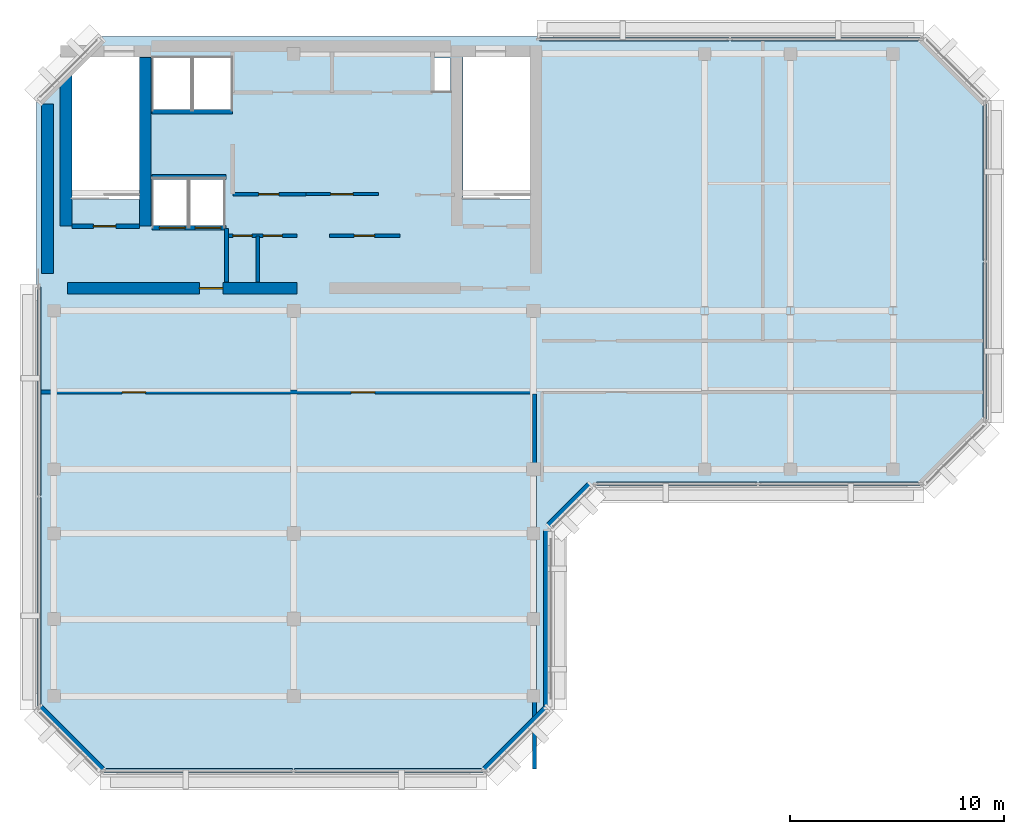
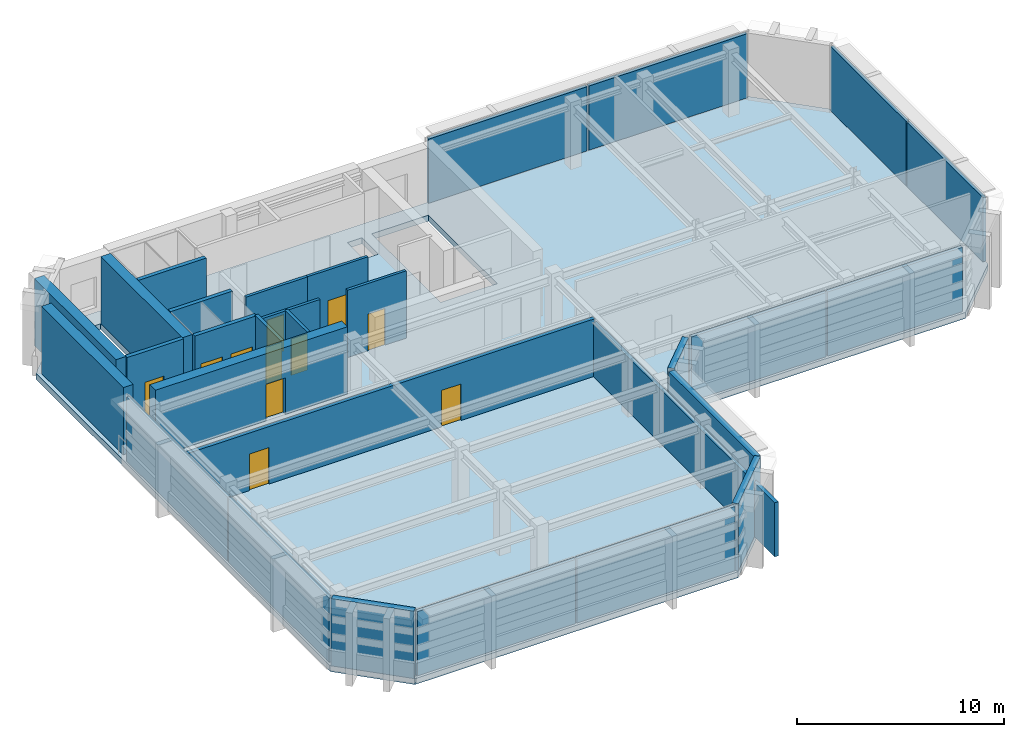
# One storey, part 4 of 7: 20 walls, 11 doors, 10 plates, 1 slab, 11 openings, 5 elements without a shape of their own.
"""IFC4 building model written with IfcOpenShell, lengths in metres."""

from ifc_helpers import new_model, si_unit, direction, frame, frame_2d, origin, origin_2d, place, context, subcontext, project, spatial, polyline, rectangle, outline, extrude, material, layer, layer_set, type_object, element, fill, aggregate, save


model = new_model("IFC4")

# Units and contexts
model_context = context("Model", 3, precision=1e-05, world=origin(), true_north=direction((0.0, 1.0)))
body_context = subcontext(model_context, "Body", "Model", "MODEL_VIEW")
ifc_project = project(units=[si_unit("LENGTHUNIT", "METRE"), si_unit("AREAUNIT", "SQUARE_METRE"), si_unit("VOLUMEUNIT", "CUBIC_METRE"), si_unit("PLANEANGLEUNIT", "RADIAN"), si_unit("MASSUNIT", "GRAM", prefix="KILO")], contexts=[model_context])

# Site, building, storey
site_placement = place(None, origin())
site = spatial("IfcSite", under=ifc_project, at=site_placement, CompositionType="ELEMENT")
building_placement = place(site_placement, origin())
building = spatial("IfcBuilding", under=site, at=building_placement, Name="Kefirva Bronze Tower", CompositionType="ELEMENT")
storey_placement = place(building_placement, frame((0.0, 0.0, 369.929931640625)))
storey = spatial("IfcBuildingStorey", under=building, at=storey_placement, Name="L90", CompositionType="ELEMENT", Elevation=369.929931640625)

# Curtain wall, plates
ifc_material_1 = material(Name="Bronze anodised aluminium", Category="aluminium")
ifc_layer_1 = layer(ifc_material_1, 0.219970703125, Name="Bronze anodised aluminium")
ifc_layer_set_1 = layer_set([ifc_layer_1], Name="Bronze anodised aluminium")
curtain_wall_type = type_object("IfcCurtainWallType", Name="Refuge Acoustic Louvre Curtain Screen", PredefinedType="USERDEFINED", material=ifc_layer_set_1)
curtain_wall_1_placement = place(storey_placement, origin())
curtain_wall_1 = element("IfcCurtainWall", 1, at=curtain_wall_1_placement, inside=storey, type_object=curtain_wall_type, Name="L90 Curtain Wall 1", ObjectType="LOUVRE SCREEN WALL", PredefinedType="USERDEFINED")
ifc_layer_2 = layer(ifc_material_1, 0.179931640625, Name="Bronze anodised aluminium")
ifc_layer_set_2 = layer_set([ifc_layer_2], Name="Bronze anodised aluminium")
plate_type = type_object("IfcPlateType", Name="Acoustic Weather Louvre Panel 180mm", PredefinedType="CURTAIN_PANEL", material=ifc_layer_set_2)
plate_1_placement = place(storey_placement, frame((7.550048828125, 11.719970703125, 0.08984375), z_axis=(0.0, 0.0, 1.0), x_axis=(1.0, 0.0, 0.0)))
plate_1 = element("IfcPlate", 2, at=plate_1_placement, type_object=plate_type, Name="CW-06 panel 1.1", PredefinedType="CURTAIN_PANEL", context=body_context, shape_type="SweptSolid", body=[
    extrude(rectangle(XDim=8.81005859375, YDim=0.179931640625, at=origin_2d()), origin(), (0.0, 0.0, 1.0), 3.780029296875),
])
plate_2_placement = place(storey_placement, frame((16.449951171875, 11.719970703125, 0.08984375), z_axis=(0.0, 0.0, 1.0), x_axis=(1.0, 0.0, 0.0)))
plate_2 = element("IfcPlate", 3, at=plate_2_placement, type_object=plate_type, Name="CW-06 panel 2.1", PredefinedType="CURTAIN_PANEL", context=body_context, shape_type="SweptSolid", body=[
    extrude(rectangle(XDim=8.81005859375, YDim=0.179931640625, at=origin_2d()), origin(), (0.0, 0.0, 1.0), 3.780029296875),
])
aggregate(curtain_wall_1, [plate_1, plate_2])

curtain_wall_2_placement = place(storey_placement, origin())
curtain_wall_2 = element("IfcCurtainWall", 4, at=curtain_wall_2_placement, inside=storey, type_object=curtain_wall_type, Name="L90 Curtain Wall 2", ObjectType="LOUVRE SCREEN WALL", PredefinedType="USERDEFINED")
plate_3_placement = place(storey_placement, frame((29.89990234375, 25.1201171875, 0.08984375), z_axis=(0.0, 0.0, 1.0), x_axis=(1.0, 0.0, 0.0)))
plate_3 = element("IfcPlate", 5, at=plate_3_placement, type_object=plate_type, Name="CW-06 panel 1.1", PredefinedType="CURTAIN_PANEL", context=body_context, shape_type="SweptSolid", body=[
    extrude(rectangle(XDim=7.510009765625, YDim=0.179931640625, at=origin_2d()), origin(), (0.0, 0.0, 1.0), 3.780029296875),
])
plate_4_placement = place(storey_placement, frame((37.5, 25.1201171875, 0.08984375), z_axis=(0.0, 0.0, 1.0), x_axis=(1.0, 0.0, 0.0)))
plate_4 = element("IfcPlate", 6, at=plate_4_placement, type_object=plate_type, Name="CW-06 panel 2.1", PredefinedType="CURTAIN_PANEL", context=body_context, shape_type="SweptSolid", body=[
    extrude(rectangle(XDim=7.510009765625, YDim=0.179931640625, at=origin_2d()), origin(), (0.0, 0.0, 1.0), 3.780029296875),
])
aggregate(curtain_wall_2, [plate_3, plate_4])

curtain_wall_3_placement = place(storey_placement, origin())
curtain_wall_3 = element("IfcCurtainWall", 7, at=curtain_wall_3_placement, inside=storey, type_object=curtain_wall_type, Name="L90 Curtain Wall 3", ObjectType="LOUVRE SCREEN WALL", PredefinedType="USERDEFINED")
plate_5_placement = place(storey_placement, frame((44.280029296875, 31.800048828125, 0.08984375), z_axis=(0.0, 0.0, 1.0), x_axis=(0.0, 1.0, 0.0)))
plate_5 = element("IfcPlate", 8, at=plate_5_placement, type_object=plate_type, Name="CW-06 panel 1.1", PredefinedType="CURTAIN_PANEL", context=body_context, shape_type="SweptSolid", body=[
    extrude(rectangle(XDim=7.31005859375, YDim=0.179931640625, at=origin_2d()), origin(), (0.0, 0.0, 1.0), 3.780029296875),
])
plate_6_placement = place(storey_placement, frame((44.280029296875, 39.199951171875, 0.08984375), z_axis=(0.0, 0.0, 1.0), x_axis=(0.0, 1.0, 0.0)))
plate_6 = element("IfcPlate", 9, at=plate_6_placement, type_object=plate_type, Name="CW-06 panel 2.1", PredefinedType="CURTAIN_PANEL", context=body_context, shape_type="SweptSolid", body=[
    extrude(rectangle(XDim=7.31005859375, YDim=0.179931640625, at=origin_2d()), origin(), (0.0, 0.0, 1.0), 3.780029296875),
])
aggregate(curtain_wall_3, [plate_5, plate_6])

curtain_wall_4_placement = place(storey_placement, origin())
curtain_wall_4 = element("IfcCurtainWall", 10, at=curtain_wall_4_placement, inside=storey, type_object=curtain_wall_type, Name="L90 Curtain Wall 4", ObjectType="LOUVRE SCREEN WALL", PredefinedType="USERDEFINED")
plate_7_placement = place(storey_placement, frame((36.83740234375, 45.8798828125, 0.08984375), z_axis=(0.0, 0.0, 1.0), x_axis=(-1.0, 0.0, 0.0)))
plate_7 = element("IfcPlate", 11, at=plate_7_placement, type_object=plate_type, Name="CW-06 panel 1.1", PredefinedType="CURTAIN_PANEL", context=body_context, shape_type="SweptSolid", body=[
    extrude(rectangle(XDim=8.8349609375, YDim=0.179931640625, at=origin_2d()), origin(), (0.0, 0.0, 1.0), 3.780029296875),
])
plate_8_placement = place(storey_placement, frame((27.91259765625, 45.8798828125, 0.08984375), z_axis=(0.0, 0.0, 1.0), x_axis=(-1.0, 0.0, 0.0)))
plate_8 = element("IfcPlate", 12, at=plate_8_placement, type_object=plate_type, Name="CW-06 panel 2.1", PredefinedType="CURTAIN_PANEL", context=body_context, shape_type="SweptSolid", body=[
    extrude(rectangle(XDim=8.8349609375, YDim=0.179931640625, at=origin_2d()), origin(), (0.0, 0.0, 1.0), 3.780029296875),
])
aggregate(curtain_wall_4, [plate_7, plate_8])

curtain_wall_5_placement = place(storey_placement, origin())
curtain_wall_5 = element("IfcCurtainWall", 13, at=curtain_wall_5_placement, inside=storey, type_object=curtain_wall_type, Name="L90 Curtain Wall 5", ObjectType="LOUVRE SCREEN WALL", PredefinedType="USERDEFINED")
plate_9_placement = place(storey_placement, frame((0.1201171875, 29.4375, 0.08984375), z_axis=(0.0, 0.0, 1.0), x_axis=(0.0, -1.0, 0.0)))
plate_9 = element("IfcPlate", 14, at=plate_9_placement, type_object=plate_type, Name="CW-06 panel 1.1", PredefinedType="CURTAIN_PANEL", context=body_context, shape_type="SweptSolid", body=[
    extrude(rectangle(XDim=9.735107421875, YDim=0.179931640625, at=origin_2d()), origin(), (0.0, 0.0, 1.0), 3.780029296875),
])
plate_10_placement = place(storey_placement, frame((0.1201171875, 19.612548828125, 0.08984375), z_axis=(0.0, 0.0, 1.0), x_axis=(0.0, -1.0, 0.0)))
plate_10 = element("IfcPlate", 15, at=plate_10_placement, type_object=plate_type, Name="CW-06 panel 2.1", PredefinedType="CURTAIN_PANEL", context=body_context, shape_type="SweptSolid", body=[
    extrude(rectangle(XDim=9.735107421875, YDim=0.179931640625, at=origin_2d()), origin(), (0.0, 0.0, 1.0), 3.780029296875),
])
aggregate(curtain_wall_5, [plate_9, plate_10])

# Slab
ifc_material_2 = material(Name="Concrete C50/60", Category="concrete")
ifc_layer_3 = layer(ifc_material_2, 0.35009765625, Name="Concrete C50/60")
ifc_layer_set_3 = layer_set([ifc_layer_3], Name="Concrete C50/60")
slab_type = type_object("IfcSlabType", Name="RC Refuge Plant Slab 350mm", PredefinedType="FLOOR", material=ifc_layer_set_3)
slab_placement = place(storey_placement, frame((0.0, 0.0, -0.349853515625)))
element("IfcSlab", 16, at=slab_placement, inside=storey, type_object=slab_type, Name="L90 Structural Floor Slab", PredefinedType="FLOOR", context=body_context, shape_type="SweptSolid", body=[
    extrude(outline(polyline([(0.0, 14.60009765625), (0.0, 43.0), (1.64990234375, 44.64990234375), (1.64990234375, 38.39990234375), (4.800048828125, 38.39990234375), (4.800048828125, 45.050048828125), (2.050048828125, 45.050048828125), (3.0, 46.0), (41.39990234375, 46.0), (44.39990234375, 43.0), (44.39990234375, 28.0), (41.39990234375, 25.0), (26.0, 25.0), (24.0, 23.0), (24.0, 14.60009765625), (21.0, 11.60009765625), (3.0, 11.60009765625), (0.0, 14.60009765625)]), holes=[polyline([(23.050048828125, 45.050048828125), (19.89990234375, 45.050048828125), (19.89990234375, 38.39990234375), (23.050048828125, 38.39990234375), (23.050048828125, 45.050048828125)]), polyline([(19.320068359375, 45.0), (18.52001953125, 45.0), (18.52001953125, 43.419921875), (19.320068359375, 43.419921875), (19.320068359375, 45.0)]), polyline([(9.1201171875, 45.050048828125), (7.300048828125, 45.050048828125), (7.300048828125, 42.550048828125), (9.1201171875, 42.550048828125), (9.1201171875, 45.050048828125)]), polyline([(8.780029296875, 39.39990234375), (7.139892578125, 39.39990234375), (7.139892578125, 37.10009765625), (8.780029296875, 37.10009765625), (8.780029296875, 39.39990234375)]), polyline([(7.239990234375, 45.050048828125), (5.419921875, 45.050048828125), (5.419921875, 42.550048828125), (7.239990234375, 42.550048828125), (7.239990234375, 45.050048828125)]), polyline([(5.419921875, 39.39990234375), (5.419921875, 37.10009765625), (7.06005859375, 37.10009765625), (7.06005859375, 39.39990234375), (5.419921875, 39.39990234375)])]), origin(), (0.0, 0.0, 1.0), 0.349853515625),
])

# Wall, opening, door
ifc_material_3 = material(Name="Gypsum acoustic partition")
ifc_layer_4 = layer(ifc_material_3, 0.14990234375, Name="Gypsum acoustic partition")
ifc_layer_set_4 = layer_set([ifc_layer_4], Name="Gypsum acoustic partition")
wall_type_1 = type_object("IfcWallType", Name="Executive Suite Partition 150mm", PredefinedType="PARTITIONING", material=ifc_layer_set_4)
wall_1_placement = place(storey_placement, frame((13.679931640625, 36.699951171875, 0.0), z_axis=(0.0, 0.0, 1.0), x_axis=(1.0, 0.0, 0.0)))
wall_1 = element("IfcWall", 17, at=wall_1_placement, inside=storey, type_object=wall_type_1, Name="L90 Partition W-L90-RECMP1", PredefinedType="PARTITIONING", context=body_context, shape_type="SweptSolid", body=[
    extrude(rectangle(XDim=3.280029296875, YDim=0.14990234375, at=frame_2d((1.64013671875, 0.0))), origin(), (0.0, 0.0, 1.0), 3.9599609375),
])
opening_1_placement = place(wall_1_placement, frame((1.14990234375, 0.0, 0.0)))
opening_1 = element("IfcOpeningElement", 18, at=opening_1_placement, cuts=wall_1, Name="Opening L90-D-RECMP1", PredefinedType="OPENING", context=body_context, shape_type="SweptSolid", body=[
    extrude(rectangle(XDim=0.949951171875, YDim=2.14990234375, at=frame_2d((0.47509765625, 1.074951171875))), frame((0.0, 0.0849609375, 0.0), z_axis=(0.0, -1.0, 0.0), x_axis=(1.0, 0.0, 0.0)), (0.0, 0.0, 1.0), 0.169921875),
])
ifc_material_4 = material(Name="Acoustic hardwood oak", Category="wood")
door_type_1 = type_object("IfcDoorType", Name="Office & Meeting Room Door 950x2150", OperationType="NOTDEFINED", PredefinedType="DOOR", material=ifc_material_4)
door_1_placement = place(opening_1_placement, origin())
door_1 = element("IfcDoor", 19, at=door_1_placement, inside=storey, type_object=door_type_1, Name="Door L90-D-RECMP1", OperationType="SINGLE_SWING_RIGHT", OverallHeight=2.14990234375, OverallWidth=0.949951171875, PredefinedType="DOOR", context=body_context, shape_type="SweptSolid", body=[
    extrude(rectangle(XDim=0.949951171875, YDim=2.14990234375, at=frame_2d((0.47509765625, 1.074951171875))), frame((0.0, 0.02490234375, 0.0), z_axis=(0.0, -1.0, 0.0), x_axis=(1.0, 0.0, 0.0)), (0.0, 0.0, 1.0), 0.050048828125),
])
fill(opening_1, door_1)

wall_2_placement = place(storey_placement, frame((12.580078125, 38.64990234375, 0.0), z_axis=(0.0, 0.0, 1.0), x_axis=(1.0, 0.0, 0.0)))
wall_2 = element("IfcWall", 20, at=wall_2_placement, inside=storey, type_object=wall_type_1, Name="L90 Partition W-L90-RECMP2", PredefinedType="PARTITIONING", context=body_context, shape_type="SweptSolid", body=[
    extrude(rectangle(XDim=3.3798828125, YDim=0.14990234375, at=frame_2d((1.68994140625, 0.0))), origin(), (0.0, 0.0, 1.0), 3.9599609375),
])
opening_2_placement = place(wall_2_placement, frame((2.199951171875, 0.0, 0.0), z_axis=(0.0, 0.0, 1.0), x_axis=(-1.0, 0.0, 0.0)))
opening_2 = element("IfcOpeningElement", 21, at=opening_2_placement, cuts=wall_2, Name="Opening L90-D-RECMP2", PredefinedType="OPENING", context=body_context, shape_type="SweptSolid", body=[
    extrude(rectangle(XDim=1.050048828125, YDim=2.14990234375, at=frame_2d((0.52490234375, 1.074951171875))), frame((0.0, 0.0849609375, 0.0), z_axis=(0.0, -1.0, 0.0), x_axis=(1.0, 0.0, 0.0)), (0.0, 0.0, 1.0), 0.169921875),
])
door_type_2 = type_object("IfcDoorType", Name="Executive & Boardroom Door 1050x2150", OperationType="NOTDEFINED", PredefinedType="DOOR", material=ifc_material_4)
door_2_placement = place(opening_2_placement, origin())
door_2 = element("IfcDoor", 22, at=door_2_placement, inside=storey, type_object=door_type_2, Name="Door L90-D-RECMP2", OperationType="SINGLE_SWING_LEFT", OverallHeight=2.14990234375, OverallWidth=1.050048828125, PredefinedType="DOOR", context=body_context, shape_type="SweptSolid", body=[
    extrude(rectangle(XDim=1.050048828125, YDim=2.14990234375, at=frame_2d((0.52490234375, 1.074951171875))), frame((0.0, 0.02490234375, 0.0), z_axis=(0.0, -1.0, 0.0), x_axis=(1.0, 0.0, 0.0)), (0.0, 0.0, 1.0), 0.050048828125),
])
fill(opening_2, door_2)

ifc_material_5 = material(Name="Gypsum fireboard shaftwall")
ifc_layer_5 = layer(ifc_material_5, 0.219970703125, Name="Gypsum fireboard shaftwall")
ifc_layer_set_5 = layer_set([ifc_layer_5], Name="Gypsum fireboard shaftwall")
wall_type_2 = type_object("IfcWallType", Name="Fire-Rated Shaft Enclosure Wall 220mm", PredefinedType="PARTITIONING", material=ifc_layer_set_5)
wall_3_placement = place(storey_placement, frame((1.64990234375, 37.14990234375, 0.0), z_axis=(0.0, 0.0, 1.0), x_axis=(1.0, 0.0, 0.0)))
wall_3 = element("IfcWall", 23, at=wall_3_placement, inside=storey, type_object=wall_type_2, Name="L90 Partition W-L90-ST1S", PredefinedType="PARTITIONING", context=body_context, shape_type="SweptSolid", body=[
    extrude(rectangle(XDim=3.150146484375, YDim=0.219970703125, at=frame_2d((1.5751953125, 0.0))), origin(), (0.0, 0.0, 1.0), 3.9599609375),
])
opening_3_placement = place(wall_3_placement, frame((2.050048828125, 0.0, 0.0), z_axis=(0.0, 0.0, 1.0), x_axis=(-1.0, 0.0, 0.0)))
opening_3 = element("IfcOpeningElement", 24, at=opening_3_placement, cuts=wall_3, Name="Opening L90-D001", PredefinedType="OPENING", context=body_context, shape_type="SweptSolid", body=[
    extrude(rectangle(XDim=1.050048828125, YDim=2.14990234375, at=frame_2d((0.52490234375, 1.074951171875))), frame((0.0, 0.1201171875, 0.0), z_axis=(0.0, -1.0, 0.0), x_axis=(1.0, 0.0, 0.0)), (0.0, 0.0, 1.0), 0.239990234375),
])
ifc_material_6 = material(Name="Painted galvanized steel", Category="steel")
door_type_3 = type_object("IfcDoorType", Name="Fire Stair Enclosure Door 1050x2150 FD90S", OperationType="NOTDEFINED", PredefinedType="DOOR", material=ifc_material_6)
door_3_placement = place(opening_3_placement, origin())
door_3 = element("IfcDoor", 25, at=door_3_placement, inside=storey, type_object=door_type_3, Name="Door L90-D001", OperationType="SINGLE_SWING_RIGHT", OverallHeight=2.14990234375, OverallWidth=1.050048828125, PredefinedType="DOOR", context=body_context, shape_type="SweptSolid", body=[
    extrude(rectangle(XDim=1.050048828125, YDim=2.14990234375, at=frame_2d((0.52490234375, 1.074951171875))), frame((0.0, 0.02490234375, 0.0), z_axis=(0.0, -1.0, 0.0), x_axis=(1.0, 0.0, 0.0)), (0.0, 0.0, 1.0), 0.050048828125),
])
fill(opening_3, door_3)

# Wall, openings, doors
wall_4_placement = place(storey_placement, frame((5.3798828125, 37.080078125, 0.0), z_axis=(0.0, 0.0, 1.0), x_axis=(1.0, 0.0, 0.0)))
wall_4 = element("IfcWall", 26, at=wall_4_placement, inside=storey, type_object=wall_type_2, Name="L90 Partition W-L90-FFS", PredefinedType="PARTITIONING", context=body_context, shape_type="SweptSolid", body=[
    extrude(rectangle(XDim=3.460205078125, YDim=0.219970703125, at=frame_2d((1.72998046875, 0.0))), origin(), (0.0, 0.0, 1.0), 3.9599609375),
])
opening_4_placement = place(wall_4_placement, frame((1.550048828125, 0.0, 0.0), z_axis=(0.0, 0.0, 1.0), x_axis=(-1.0, 0.0, 0.0)))
opening_4 = element("IfcOpeningElement", 27, at=opening_4_placement, cuts=wall_4, Name="Opening L90-LD-FF1", PredefinedType="OPENING", context=body_context, shape_type="SweptSolid", body=[
    extrude(rectangle(XDim=1.199951171875, YDim=2.199951171875, at=frame_2d((0.60009765625, 1.10009765625))), frame((0.0, 0.1201171875, 0.0), z_axis=(0.0, -1.0, 0.0), x_axis=(1.0, 0.0, 0.0)), (0.0, 0.0, 1.0), 0.239990234375),
])
opening_5_placement = place(wall_4_placement, frame((3.219970703125, 0.0, 0.0), z_axis=(0.0, 0.0, 1.0), x_axis=(-1.0, 0.0, 0.0)))
opening_5 = element("IfcOpeningElement", 28, at=opening_5_placement, cuts=wall_4, Name="Opening L90-LD-FF2", PredefinedType="OPENING", context=body_context, shape_type="SweptSolid", body=[
    extrude(rectangle(XDim=1.199951171875, YDim=2.199951171875, at=frame_2d((0.60009765625, 1.10009765625))), frame((0.0, 0.1201171875, 0.0), z_axis=(0.0, -1.0, 0.0), x_axis=(1.0, 0.0, 0.0)), (0.0, 0.0, 1.0), 0.239990234375),
])
ifc_material_7 = material(Name="Stainless steel 316", Category="steel")
door_type_4 = type_object("IfcDoorType", Name="Firefighting Lift Sliding Door 1200x2200", OperationType="SLIDING_TO_RIGHT", PredefinedType="DOOR", material=ifc_material_7)
door_4_placement = place(opening_4_placement, origin())
door_4 = element("IfcDoor", 29, at=door_4_placement, inside=storey, type_object=door_type_4, Name="Door L90-LD-FF1", OperationType="SLIDING_TO_RIGHT", OverallHeight=2.199951171875, OverallWidth=1.199951171875, PredefinedType="DOOR", context=body_context, shape_type="SweptSolid", body=[
    extrude(rectangle(XDim=1.199951171875, YDim=2.199951171875, at=frame_2d((0.60009765625, 1.10009765625))), frame((0.0, 0.02490234375, 0.0), z_axis=(0.0, -1.0, 0.0), x_axis=(1.0, 0.0, 0.0)), (0.0, 0.0, 1.0), 0.050048828125),
])
fill(opening_4, door_4)
door_5_placement = place(opening_5_placement, origin())
door_5 = element("IfcDoor", 30, at=door_5_placement, inside=storey, type_object=door_type_4, Name="Door L90-LD-FF2", OperationType="SLIDING_TO_RIGHT", OverallHeight=2.199951171875, OverallWidth=1.199951171875, PredefinedType="DOOR", context=body_context, shape_type="SweptSolid", body=[
    extrude(rectangle(XDim=1.199951171875, YDim=2.199951171875, at=frame_2d((0.60009765625, 1.10009765625))), frame((0.0, 0.02490234375, 0.0), z_axis=(0.0, -1.0, 0.0), x_axis=(1.0, 0.0, 0.0)), (0.0, 0.0, 1.0), 0.050048828125),
])
fill(opening_5, door_5)

# Walls
wall_5_placement = place(storey_placement, frame((5.3798828125, 39.449951171875, 0.0), z_axis=(0.0, 0.0, 1.0), x_axis=(1.0, 0.0, 0.0)))
element("IfcWall", 31, at=wall_5_placement, inside=storey, type_object=wall_type_2, Name="L90 Partition W-L90-FFN", PredefinedType="PARTITIONING", context=body_context, shape_type="SweptSolid", body=[
    extrude(rectangle(XDim=3.460205078125, YDim=0.219970703125, at=frame_2d((1.72998046875, 0.0))), origin(), (0.0, 0.0, 1.0), 3.9599609375),
])
wall_6_placement = place(storey_placement, frame((5.3798828125, 42.5, 0.0), z_axis=(0.0, 0.0, 1.0), x_axis=(1.0, 0.0, 0.0)))
element("IfcWall", 32, at=wall_6_placement, inside=storey, type_object=wall_type_2, Name="L90 Partition W-L90-SVS", PredefinedType="PARTITIONING", context=body_context, shape_type="SweptSolid", body=[
    extrude(rectangle(XDim=3.77001953125, YDim=0.219970703125, at=frame_2d((1.885009765625, 0.0))), origin(), (0.0, 0.0, 1.0), 3.9599609375),
])
ifc_material_8 = material(Name="Gypsum fireboard barrier")
ifc_layer_6 = layer(ifc_material_8, 0.199951171875, Name="Gypsum fireboard barrier")
ifc_layer_set_6 = layer_set([ifc_layer_6], Name="Gypsum fireboard barrier")
wall_type_3 = type_object("IfcWallType", Name="Firefighting Lobby Barrier Wall 200mm", PredefinedType="PARTITIONING", material=ifc_layer_set_6)
wall_7_placement = place(storey_placement, frame((8.860107421875, 34.550048828125, 0.0), z_axis=(0.0, 0.0, 1.0), x_axis=(0.0, 1.0, 0.0)))
element("IfcWall", 33, at=wall_7_placement, inside=storey, type_object=wall_type_3, Name="L90 Partition W-L90-FFLE", PredefinedType="PARTITIONING", context=body_context, shape_type="SweptSolid", body=[
    extrude(rectangle(XDim=2.5, YDim=0.199951171875, at=frame_2d((1.25, 0.0))), origin(), (0.0, 0.0, 1.0), 3.9599609375),
])

# Wall, openings, doors
wall_8_placement = place(storey_placement, frame((0.18994140625, 29.39990234375, 0.0), z_axis=(0.0, 0.0, 1.0), x_axis=(1.0, 0.0, 0.0)))
wall_8 = element("IfcWall", 34, at=wall_8_placement, inside=storey, type_object=wall_type_3, Name="L90 Partition W-L90-REFS", PredefinedType="PARTITIONING", context=body_context, shape_type="SweptSolid", body=[
    extrude(rectangle(XDim=23.06005859375, YDim=0.199951171875, at=frame_2d((11.530029296875, 0.0))), origin(), (0.0, 0.0, 1.0), 3.385009765625),
])
opening_6_placement = place(wall_8_placement, frame((3.800048828125, 0.0, 0.0)))
opening_6 = element("IfcOpeningElement", 35, at=opening_6_placement, cuts=wall_8, Name="Opening L90-D-REF1", PredefinedType="OPENING", context=body_context, shape_type="SweptSolid", body=[
    extrude(rectangle(XDim=1.10009765625, YDim=2.14990234375, at=frame_2d((0.550048828125, 1.074951171875))), frame((0.0, 0.10986328125, 0.0), z_axis=(0.0, -1.0, 0.0), x_axis=(1.0, 0.0, 0.0)), (0.0, 0.0, 1.0), 0.219970703125),
])
opening_7_placement = place(wall_8_placement, frame((14.5, 0.0, 0.0)))
opening_7 = element("IfcOpeningElement", 36, at=opening_7_placement, cuts=wall_8, Name="Opening L90-D-REF2", PredefinedType="OPENING", context=body_context, shape_type="SweptSolid", body=[
    extrude(rectangle(XDim=1.10009765625, YDim=2.14990234375, at=frame_2d((0.550048828125, 1.074951171875))), frame((0.0, 0.10986328125, 0.0), z_axis=(0.0, -1.0, 0.0), x_axis=(1.0, 0.0, 0.0)), (0.0, 0.0, 1.0), 0.219970703125),
])
door_type_5 = type_object("IfcDoorType", Name="Firefighting Lobby Smoke Door 1100x2150 FD60S", OperationType="NOTDEFINED", PredefinedType="DOOR", material=ifc_material_6)
door_6_placement = place(opening_6_placement, origin())
door_6 = element("IfcDoor", 37, at=door_6_placement, inside=storey, type_object=door_type_5, Name="Door L90-D-REF1", OperationType="SINGLE_SWING_RIGHT", OverallHeight=2.14990234375, OverallWidth=1.10009765625, PredefinedType="DOOR", context=body_context, shape_type="SweptSolid", body=[
    extrude(rectangle(XDim=1.10009765625, YDim=2.14990234375, at=frame_2d((0.550048828125, 1.074951171875))), frame((0.0, 0.02490234375, 0.0), z_axis=(0.0, -1.0, 0.0), x_axis=(1.0, 0.0, 0.0)), (0.0, 0.0, 1.0), 0.050048828125),
])
fill(opening_6, door_6)
door_7_placement = place(opening_7_placement, origin())
door_7 = element("IfcDoor", 38, at=door_7_placement, inside=storey, type_object=door_type_5, Name="Door L90-D-REF2", OperationType="SINGLE_SWING_LEFT", OverallHeight=2.14990234375, OverallWidth=1.10009765625, PredefinedType="DOOR", context=body_context, shape_type="SweptSolid", body=[
    extrude(rectangle(XDim=1.10009765625, YDim=2.14990234375, at=frame_2d((0.550048828125, 1.074951171875))), frame((0.0, 0.02490234375, 0.0), z_axis=(0.0, -1.0, 0.0), x_axis=(1.0, 0.0, 0.0)), (0.0, 0.0, 1.0), 0.050048828125),
])
fill(opening_7, door_7)

# Walls
wall_9_placement = place(storey_placement, frame((23.25, 11.7900390625, 0.0), z_axis=(0.0, 0.0, 1.0), x_axis=(0.0, 1.0, 0.0)))
element("IfcWall", 39, at=wall_9_placement, inside=storey, type_object=wall_type_3, Name="L90 Partition W-L90-REFE", PredefinedType="PARTITIONING", context=body_context, shape_type="SweptSolid", body=[
    extrude(rectangle(XDim=17.510009765625, YDim=0.199951171875, at=frame_2d((8.7548828125, 0.0))), origin(), (0.0, 0.0, 1.0), 3.18505859375),
])
ifc_material_9 = material(Name="Precast concrete C40/50", Category="concrete")
ifc_layer_7 = layer(ifc_material_9, 0.320068359375, Name="Precast concrete C40/50")
ifc_layer_set_7 = layer_set([ifc_layer_7], Name="Precast concrete C40/50")
wall_type_4 = type_object("IfcWallType", Name="Precast Insulated Exterior Wall 320mm", PredefinedType="SOLIDWALL", material=ifc_layer_set_7)
wall_10_placement = place(storey_placement, frame((20.92578125, 11.751953125, 0.0), z_axis=(0.0, 0.0, 1.0), x_axis=(0.707077242712, 0.707136318428, 0.0)))
element("IfcWall", 40, at=wall_10_placement, inside=storey, type_object=wall_type_4, Name="L90 Exterior Facade Wall 1", PredefinedType="SOLIDWALL", context=body_context, shape_type="SweptSolid", body=[
    extrude(rectangle(XDim=4.132568359375, YDim=0.320068359375, at=frame_2d((2.06640625, 0.0))), origin(), (0.0, 0.0, 1.0), 3.9599609375),
])
wall_11_placement = place(storey_placement, frame((23.840087890625, 14.655029296875, 0.0), z_axis=(0.0, 0.0, 1.0), x_axis=(0.0, 1.0, 0.0)))
element("IfcWall", 41, at=wall_11_placement, inside=storey, type_object=wall_type_4, Name="L90 Exterior Facade Wall 2", PredefinedType="SOLIDWALL", context=body_context, shape_type="SweptSolid", body=[
    extrude(rectangle(XDim=8.2900390625, YDim=0.320068359375, at=frame_2d((4.14501953125, 0.0))), origin(), (0.0, 0.0, 1.0), 3.9599609375),
])
wall_12_placement = place(storey_placement, frame((23.92578125, 23.152099609375, 0.0), z_axis=(0.0, 0.0, 1.0), x_axis=(0.707106781187, 0.707106781187, 0.0)))
element("IfcWall", 42, at=wall_12_placement, inside=storey, type_object=wall_type_4, Name="L90 Exterior Facade Wall 3", PredefinedType="SOLIDWALL", context=body_context, shape_type="SweptSolid", body=[
    extrude(rectangle(XDim=2.71826171875, YDim=0.320068359375, at=frame_2d((1.359130859375, 0.0))), origin(), (0.0, 0.0, 1.0), 3.9599609375),
])
wall_13_placement = place(storey_placement, frame((0.152099609375, 14.67431640625, 0.0), z_axis=(0.0, 0.0, 1.0), x_axis=(0.707077242712, -0.707136318428, 0.0)))
element("IfcWall", 43, at=wall_13_placement, inside=storey, type_object=wall_type_4, Name="L90 Exterior Facade Wall 7", PredefinedType="SOLIDWALL", context=body_context, shape_type="SweptSolid", body=[
    extrude(rectangle(XDim=4.132568359375, YDim=0.320068359375, at=frame_2d((2.06640625, 0.0))), origin(), (0.0, 0.0, 1.0), 3.9599609375),
])

# Wall, openings, doors
ifc_layer_8 = layer(ifc_material_3, 0.159912109375, Name="Gypsum acoustic partition")
ifc_layer_set_8 = layer_set([ifc_layer_8], Name="Gypsum acoustic partition")
wall_type_5 = type_object("IfcWallType", Name="Protected Corridor Partition 160mm", PredefinedType="PARTITIONING", material=ifc_layer_set_8)
wall_14_placement = place(storey_placement, frame((8.89990234375, 36.699951171875, 0.0), z_axis=(0.0, 0.0, 1.0), x_axis=(1.0, 0.0, 0.0)))
wall_14 = element("IfcWall", 44, at=wall_14_placement, inside=storey, type_object=wall_type_5, Name="L90 Partition W-L90-RECLP1", PredefinedType="PARTITIONING", context=body_context, shape_type="SweptSolid", body=[
    extrude(rectangle(XDim=3.25, YDim=0.159912109375, at=frame_2d((1.625, 0.0))), origin(), (0.0, 0.0, 1.0), 3.9599609375),
])
opening_8_placement = place(wall_14_placement, frame((0.260009765625, 0.0, 0.0)))
opening_8 = element("IfcOpeningElement", 45, at=opening_8_placement, cuts=wall_14, Name="Opening L90-D-RECLP1A", PredefinedType="OPENING", context=body_context, shape_type="SweptSolid", body=[
    extrude(rectangle(XDim=0.89990234375, YDim=2.14990234375, at=frame_2d((0.449951171875, 1.074951171875))), frame((0.0, 0.08984375, 0.0), z_axis=(0.0, -1.0, 0.0), x_axis=(1.0, 0.0, 0.0)), (0.0, 0.0, 1.0), 0.179931640625),
])
opening_9_placement = place(wall_14_placement, frame((1.679931640625, 0.0, 0.0)))
opening_9 = element("IfcOpeningElement", 46, at=opening_9_placement, cuts=wall_14, Name="Opening L90-D-RECLP1B", PredefinedType="OPENING", context=body_context, shape_type="SweptSolid", body=[
    extrude(rectangle(XDim=0.89990234375, YDim=2.14990234375, at=frame_2d((0.449951171875, 1.074951171875))), frame((0.0, 0.08984375, 0.0), z_axis=(0.0, -1.0, 0.0), x_axis=(1.0, 0.0, 0.0)), (0.0, 0.0, 1.0), 0.179931640625),
])
door_type_6 = type_object("IfcDoorType", Name="Core Archive & Server Fire Door 900x2150 FD60S", OperationType="NOTDEFINED", PredefinedType="DOOR", material=ifc_material_6)
door_8_placement = place(opening_8_placement, origin())
door_8 = element("IfcDoor", 47, at=door_8_placement, inside=storey, type_object=door_type_6, Name="Door L90-D-RECLP1A", OperationType="SINGLE_SWING_LEFT", OverallHeight=2.14990234375, OverallWidth=0.89990234375, PredefinedType="DOOR", context=body_context, shape_type="SweptSolid", body=[
    extrude(rectangle(XDim=0.89990234375, YDim=2.14990234375, at=frame_2d((0.449951171875, 1.074951171875))), frame((0.0, 0.02490234375, 0.0), z_axis=(0.0, -1.0, 0.0), x_axis=(1.0, 0.0, 0.0)), (0.0, 0.0, 1.0), 0.050048828125),
])
fill(opening_8, door_8)
door_9_placement = place(opening_9_placement, origin())
door_9 = element("IfcDoor", 48, at=door_9_placement, inside=storey, type_object=door_type_6, Name="Door L90-D-RECLP1B", OperationType="SINGLE_SWING_RIGHT", OverallHeight=2.14990234375, OverallWidth=0.89990234375, PredefinedType="DOOR", context=body_context, shape_type="SweptSolid", body=[
    extrude(rectangle(XDim=0.89990234375, YDim=2.14990234375, at=frame_2d((0.449951171875, 1.074951171875))), frame((0.0, 0.02490234375, 0.0), z_axis=(0.0, -1.0, 0.0), x_axis=(1.0, 0.0, 0.0)), (0.0, 0.0, 1.0), 0.050048828125),
])
fill(opening_9, door_9)

# Wall
wall_15_placement = place(storey_placement, frame((10.320068359375, 34.550048828125, 0.0), z_axis=(0.0, 0.0, 1.0), x_axis=(0.0, 1.0, 0.0)))
element("IfcWall", 49, at=wall_15_placement, inside=storey, type_object=wall_type_5, Name="L90 Partition W-L90-RECLP1D", PredefinedType="PARTITIONING", context=body_context, shape_type="SweptSolid", body=[
    extrude(rectangle(XDim=2.14990234375, YDim=0.159912109375, at=frame_2d((1.074951171875, 0.0))), origin(), (0.0, 0.0, 1.0), 3.9599609375),
])

# Wall, opening, door
wall_16_placement = place(storey_placement, frame((9.159912109375, 38.64990234375, 0.0), z_axis=(0.0, 0.0, 1.0), x_axis=(1.0, 0.0, 0.0)))
wall_16 = element("IfcWall", 50, at=wall_16_placement, inside=storey, type_object=wall_type_5, Name="L90 Partition W-L90-RECLP2", PredefinedType="PARTITIONING", context=body_context, shape_type="SweptSolid", body=[
    extrude(rectangle(XDim=3.420166015625, YDim=0.159912109375, at=frame_2d((1.7099609375, 0.0))), origin(), (0.0, 0.0, 1.0), 3.9599609375),
])
opening_10_placement = place(wall_16_placement, frame((2.14990234375, 0.0, 0.0), z_axis=(0.0, 0.0, 1.0), x_axis=(-1.0, 0.0, 0.0)))
opening_10 = element("IfcOpeningElement", 51, at=opening_10_placement, cuts=wall_16, Name="Opening L90-D-RECLP2", PredefinedType="OPENING", context=body_context, shape_type="SweptSolid", body=[
    extrude(rectangle(XDim=0.949951171875, YDim=2.14990234375, at=frame_2d((0.47509765625, 1.074951171875))), frame((0.0, 0.08984375, 0.0), z_axis=(0.0, -1.0, 0.0), x_axis=(1.0, 0.0, 0.0)), (0.0, 0.0, 1.0), 0.179931640625),
])
door_10_placement = place(opening_10_placement, origin())
door_10 = element("IfcDoor", 52, at=door_10_placement, inside=storey, type_object=door_type_1, Name="Door L90-D-RECLP2", OperationType="SINGLE_SWING_LEFT", OverallHeight=2.14990234375, OverallWidth=0.949951171875, PredefinedType="DOOR", context=body_context, shape_type="SweptSolid", body=[
    extrude(rectangle(XDim=0.949951171875, YDim=2.14990234375, at=frame_2d((0.47509765625, 1.074951171875))), frame((0.0, 0.02490234375, 0.0), z_axis=(0.0, -1.0, 0.0), x_axis=(1.0, 0.0, 0.0)), (0.0, 0.0, 1.0), 0.050048828125),
])
fill(opening_10, door_10)

# Wall
ifc_layer_9 = layer(ifc_material_2, 0.550048828125, Name="Concrete C50/60")
ifc_layer_set_9 = layer_set([ifc_layer_9], Name="Concrete C50/60")
wall_type_6 = type_object("IfcWallType", Name="RC Rear Core Exterior Wall 550mm", PredefinedType="SHEAR", material=ifc_layer_set_9)
wall_17_placement = place(storey_placement, frame((0.5, 34.949951171875, 0.0), z_axis=(0.0, 0.0, 1.0), x_axis=(0.0, 1.0, 0.0)))
element("IfcWall", 53, at=wall_17_placement, inside=storey, type_object=wall_type_6, Name="L90 Rear Core West Shear Wall", PredefinedType="SHEAR", context=body_context, shape_type="SweptSolid", body=[
    extrude(rectangle(XDim=7.900146484375, YDim=0.550048828125, at=frame_2d((3.9501953125, 0.0))), origin(), (0.0, 0.0, 1.0), 3.9599609375),
])

# Wall, opening, door
ifc_layer_10 = layer(ifc_material_2, 0.550048828125, Name="Concrete C50/60")
ifc_layer_set_10 = layer_set([ifc_layer_10], Name="Concrete C50/60")
wall_type_7 = type_object("IfcWallType", Name="RC Rear Core Interior Wall 550mm", PredefinedType="SHEAR", material=ifc_layer_set_10)
wall_18_placement = place(storey_placement, frame((1.449951171875, 34.25, 0.0), z_axis=(0.0, 0.0, 1.0), x_axis=(1.0, 0.0, 0.0)))
wall_18 = element("IfcWall", 54, at=wall_18_placement, inside=storey, type_object=wall_type_7, Name="L90 Rear Core South-West Shear Wall", PredefinedType="SHEAR", context=body_context, shape_type="SweptSolid", body=[
    extrude(rectangle(XDim=10.7099609375, YDim=0.550048828125, at=frame_2d((5.35498046875, 0.0))), origin(), (0.0, 0.0, 1.0), 3.9599609375),
])
opening_11_placement = place(wall_18_placement, frame((7.25, 0.0, 0.0), z_axis=(0.0, 0.0, 1.0), x_axis=(-1.0, 0.0, 0.0)))
opening_11 = element("IfcOpeningElement", 55, at=opening_11_placement, cuts=wall_18, Name="Opening L90-D002", PredefinedType="OPENING", context=body_context, shape_type="SweptSolid", body=[
    extrude(rectangle(XDim=1.10009765625, YDim=2.14990234375, at=frame_2d((0.550048828125, 1.074951171875))), frame((0.0, 0.28515625, 0.0), z_axis=(0.0, -1.0, 0.0), x_axis=(1.0, 0.0, 0.0)), (0.0, 0.0, 1.0), 0.570068359375),
])
door_11_placement = place(opening_11_placement, origin())
door_11 = element("IfcDoor", 56, at=door_11_placement, inside=storey, type_object=door_type_5, Name="Door L90-D002", OperationType="SINGLE_SWING_LEFT", OverallHeight=2.14990234375, OverallWidth=1.10009765625, PredefinedType="DOOR", context=body_context, shape_type="SweptSolid", body=[
    extrude(rectangle(XDim=1.10009765625, YDim=2.14990234375, at=frame_2d((0.550048828125, 1.074951171875))), frame((0.0, 0.02490234375, 0.0), z_axis=(0.0, -1.0, 0.0), x_axis=(1.0, 0.0, 0.0)), (0.0, 0.0, 1.0), 0.050048828125),
])
fill(opening_11, door_11)

# Walls
for number, where, z_axis, x_axis, name in (
    (57, (1.3701171875, 37.14990234375, 0.0), (0.0, 0.0, 1.0), (0.0, 1.0, 0.0), "L90 Stair 1 West Shear Wall"),
    (58, (5.070068359375, 37.14990234375, 0.0), (0.0, 0.0, 1.0), (0.0, 1.0, 0.0), "L90 Stair 1 East Shear Wall"),
):
    element("IfcWall", number, at=place(storey_placement, frame(where, z_axis=z_axis, x_axis=x_axis)), inside=storey, type_object=wall_type_7, Name=name, PredefinedType="SHEAR", context=body_context, shape_type="SweptSolid", body=[
        extrude(rectangle(XDim=7.89013671875, YDim=0.550048828125, at=frame_2d((3.945068359375, 0.0))), origin(), (0.0, 0.0, 1.0), 3.9599609375),
    ])

save(model, "model.ifc")
